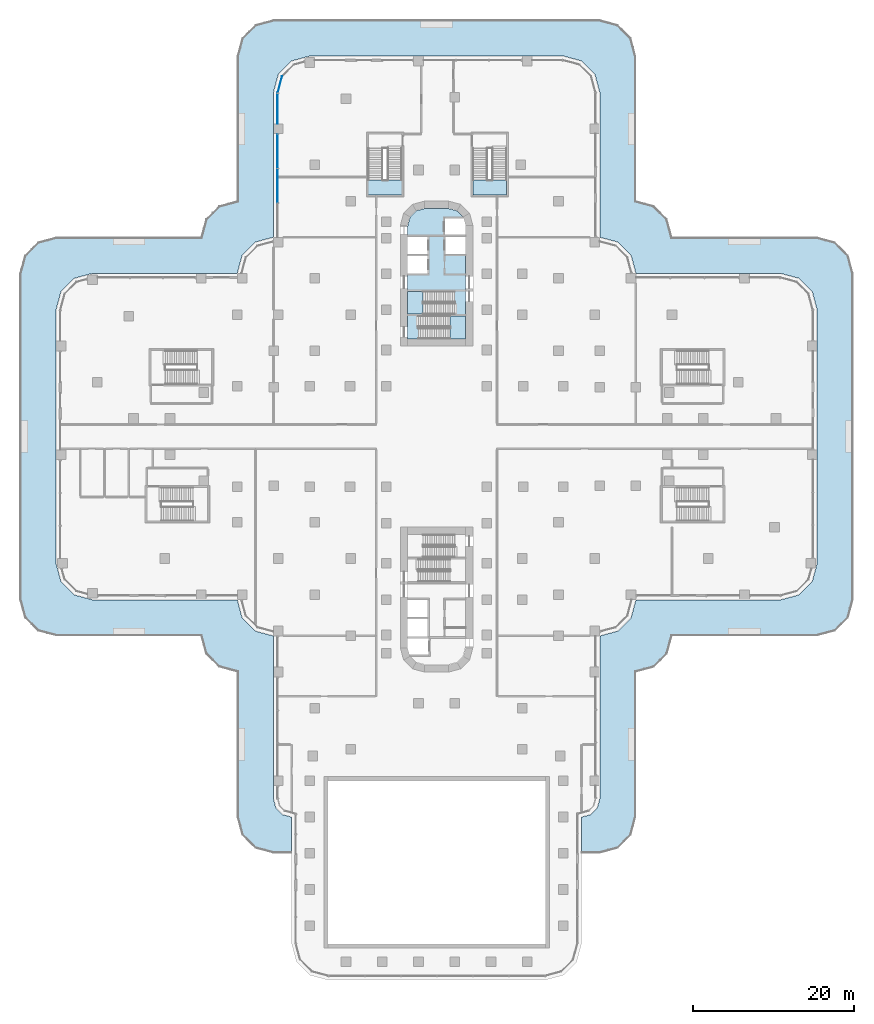
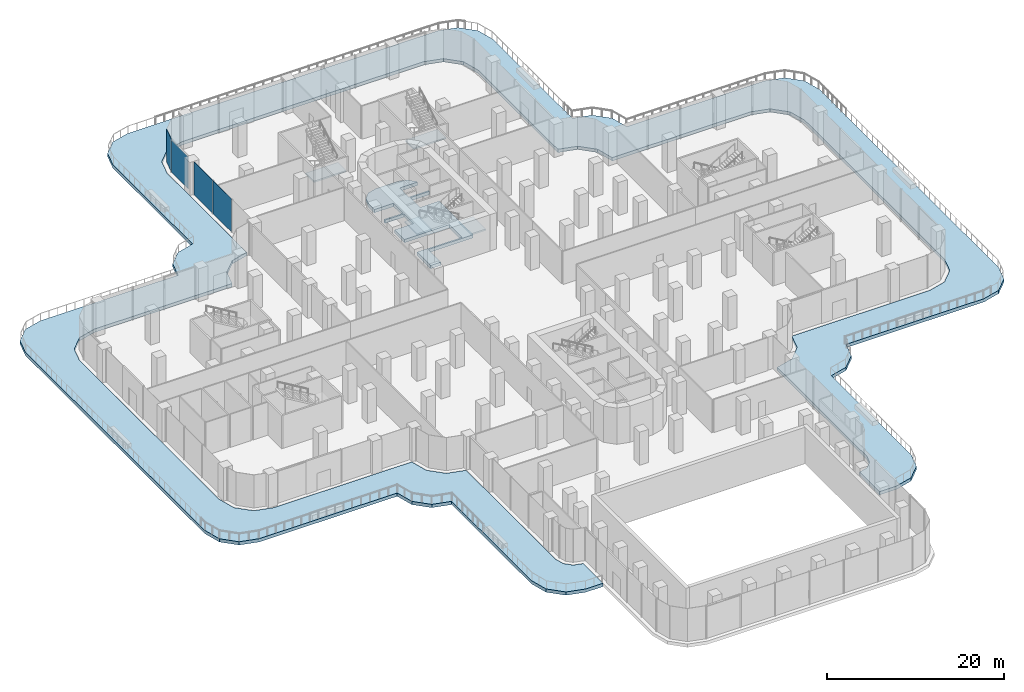
# One storey, part 15 of 29: 6 slabs, 4 plates, 6 elements without a shape of their own.
"""IFC4 building model written with IfcOpenShell, lengths in metres."""

from ifc_helpers import new_model, si_unit, direction, frame, origin, place, context, subcontext, project, spatial, polyline, outline, extrude, source, transform, mapped, material, layer, layer_set, type_object, element, aggregate, save


model = new_model("IFC4")

# Units and contexts
model_context = context("Model", 3, precision=1e-05, world=origin(), true_north=direction((0.0, 1.0)))
body_context = subcontext(model_context, "Body", "Model", "MODEL_VIEW")
ifc_project = project(units=[si_unit("LENGTHUNIT", "METRE"), si_unit("AREAUNIT", "SQUARE_METRE"), si_unit("VOLUMEUNIT", "CUBIC_METRE"), si_unit("PLANEANGLEUNIT", "RADIAN"), si_unit("MASSUNIT", "GRAM", prefix="KILO")], contexts=[model_context])

# Site, building, storey
site_placement = place(None, origin())
site = spatial("IfcSite", under=ifc_project, at=site_placement, CompositionType="ELEMENT")
building_placement = place(site_placement, origin())
building = spatial("IfcBuilding", under=site, at=building_placement, Name="Zarbagh Exchange Tower", CompositionType="ELEMENT")
storey_placement = place(building_placement, frame((0.0, 0.0, 12.0)))
storey = spatial("IfcBuildingStorey", under=building, at=storey_placement, Name="L02", CompositionType="ELEMENT", Elevation=12.0)

# Slabs
ifc_material_1 = material(Name="Concrete C50/60", Category="concrete")
ifc_layer_1 = layer(ifc_material_1, 0.449951171875)
ifc_layer_set_1 = layer_set([ifc_layer_1], Name="Core floor slab 450 C50/60")
slab_type_1 = type_object("IfcSlabType", Name="Core floor slab 450 C50/60", PredefinedType="FLOOR", material=ifc_layer_set_1)
slab_1_placement = place(storey_placement, frame((0.0, 0.0, -0.449951171875)))
element("IfcSlab", 1, at=slab_1_placement, inside=storey, type_object=slab_type_1, Name="S16 core N", PredefinedType="FLOOR", context=body_context, shape_type="SweptSolid", body=[
    extrude(outline(polyline([(-3.60009765625, 12.14990234375), (-3.60009765625, 15.199951171875), (2.25, 15.199951171875), (2.25, 18.050048828125), (-3.60009765625, 18.050048828125), (-3.60009765625, 20.25), (-1.10009765625, 20.25), (-1.10009765625, 22.449951171875), (-3.60009765625, 22.449951171875), (-3.60009765625, 22.64990234375), (-1.10009765625, 22.64990234375), (-1.10009765625, 24.85009765625), (-3.60009765625, 24.85009765625), (-3.60009765625, 26.131591796875), (-3.291259765625, 27.2841796875), (-2.5341796875, 28.041259765625), (-1.381591796875, 28.35009765625), (1.381591796875, 28.35009765625), (2.5341796875, 28.041259765625), (3.291259765625, 27.2841796875), (3.340576171875, 27.10009765625), (1.0, 27.10009765625), (1.0, 25.050048828125), (3.60009765625, 25.050048828125), (3.60009765625, 24.85009765625), (1.10009765625, 24.85009765625), (1.10009765625, 22.64990234375), (3.60009765625, 22.64990234375), (3.60009765625, 15.0), (-2.25, 15.0), (-2.25, 12.14990234375), (-3.60009765625, 12.14990234375)])), origin(), (0.0, 0.0, 1.0), 0.449951171875),
])
ifc_layer_2 = layer(ifc_material_1, 0.449951171875)
ifc_layer_set_2 = layer_set([ifc_layer_2], Name="Podium terrace roof slab 450 C50/60")
slab_type_2 = type_object("IfcSlabType", Name="Podium terrace roof slab 450 C50/60", PredefinedType="ROOF", material=ifc_layer_set_2)
slab_2_placement = place(storey_placement, frame((0.0, 0.0, -0.449951171875)))
element("IfcSlab", 2, at=slab_2_placement, inside=storey, type_object=slab_type_2, Name="S8 podium terrace roof slab", PredefinedType="ROOF", context=body_context, shape_type="SweptSolid", body=[
    extrude(outline(polyline([(-24.147216796875, -49.5), (-24.75, -47.25), (-24.75, -29.25), (-27.0, -28.647216796875), (-28.647216796875, -27.0), (-29.25, -24.75), (-47.25, -24.75), (-49.5, -24.147216796875), (-51.147216796875, -22.5), (-51.75, -20.25), (-51.75, 20.25), (-51.147216796875, 22.5), (-49.5, 24.147216796875), (-47.25, 24.75), (-29.25, 24.75), (-28.647216796875, 27.0), (-27.0, 28.647216796875), (-24.75, 29.25), (-24.75, 47.25), (-24.147216796875, 49.5), (-22.5, 51.147216796875), (-20.25, 51.75), (20.25, 51.75), (22.5, 51.147216796875), (24.147216796875, 49.5), (24.75, 47.25), (24.75, 29.25), (27.0, 28.647216796875), (28.647216796875, 27.0), (29.25, 24.75), (47.25, 24.75), (49.5, 24.147216796875), (51.147216796875, 22.5), (51.75, 20.25), (51.75, -20.25), (51.147216796875, -22.5), (49.5, -24.147216796875), (47.25, -24.75), (29.25, -24.75), (28.647216796875, -27.0), (27.0, -28.647216796875), (24.75, -29.25), (24.75, -47.25), (24.147216796875, -49.5), (22.5, -51.147216796875), (20.25, -51.75), (18.02490234375, -51.75), (18.02490234375, -47.269287109375), (19.137939453125, -46.970947265625), (19.970947265625, -46.137939453125), (20.27490234375, -45.00341796875), (20.27490234375, -24.769287109375), (22.512939453125, -24.16943359375), (24.16943359375, -22.512939453125), (24.769287109375, -20.27490234375), (42.75341796875, -20.27490234375), (45.012939453125, -19.66943359375), (46.66943359375, -18.012939453125), (47.27490234375, -15.75341796875), (47.27490234375, 15.75341796875), (46.66943359375, 18.012939453125), (45.012939453125, 19.66943359375), (42.75341796875, 20.27490234375), (24.769287109375, 20.27490234375), (24.16943359375, 22.512939453125), (22.512939453125, 24.16943359375), (20.27490234375, 24.769287109375), (20.27490234375, 42.75341796875), (19.66943359375, 45.012939453125), (18.012939453125, 46.66943359375), (15.75341796875, 47.27490234375), (-15.75341796875, 47.27490234375), (-18.012939453125, 46.66943359375), (-19.66943359375, 45.012939453125), (-20.27490234375, 42.75341796875), (-20.27490234375, 24.769287109375), (-22.512939453125, 24.16943359375), (-24.16943359375, 22.512939453125), (-24.769287109375, 20.27490234375), (-42.75341796875, 20.27490234375), (-45.012939453125, 19.66943359375), (-46.66943359375, 18.012939453125), (-47.27490234375, 15.75341796875), (-47.27490234375, -15.75341796875), (-46.66943359375, -18.012939453125), (-45.012939453125, -19.66943359375), (-42.75341796875, -20.27490234375), (-24.769287109375, -20.27490234375), (-24.16943359375, -22.512939453125), (-22.512939453125, -24.16943359375), (-20.27490234375, -24.769287109375), (-20.27490234375, -45.00341796875), (-19.970947265625, -46.137939453125), (-19.137939453125, -46.970947265625), (-18.02490234375, -47.269287109375), (-18.02490234375, -51.75), (-20.25, -51.75), (-22.5, -51.147216796875), (-24.147216796875, -49.5)])), origin(), (0.0, 0.0, 1.0), 0.449951171875),
])

# Stair, slab
ifc_material_2 = material(Name="Concrete C40/50", Category="concrete")
stair_type = type_object("IfcStairType", Name="Exit stair two-flight half-turn", PredefinedType="HALF_TURN_STAIR", material=ifc_material_2)
stair_1_placement = place(storey_placement, origin())
stair_1 = element("IfcStair", 3, at=stair_1_placement, inside=storey, type_object=stair_type, Name="exit stair ST1", PredefinedType="HALF_TURN_STAIR")
ifc_layer_3 = layer(ifc_material_2, 0.199951171875)
ifc_layer_set_3 = layer_set([ifc_layer_3], Name="Stair landing 200 mm")
slab_type_3 = type_object("IfcSlabType", Name="Stair landing 200 mm", PredefinedType="LANDING", material=ifc_layer_set_3)
slab_3_placement = place(storey_placement, frame((0.0, 0.0, 2.300048828125)))
slab_3 = element("IfcSlab", 4, at=slab_3_placement, type_object=slab_type_3, Name="ST1 landing 1", PredefinedType="LANDING", context=body_context, shape_type="SweptSolid", body=[
    extrude(outline(polyline([(-1.669921875, 18.050048828125), (-3.60009765625, 18.050048828125), (-3.60009765625, 15.199951171875), (-1.669921875, 15.199951171875), (-1.669921875, 18.050048828125)])), origin(), (0.0, 0.0, 1.0), 0.199951171875),
])
aggregate(stair_1, [slab_3])

stair_2_placement = place(storey_placement, origin())
stair_2 = element("IfcStair", 5, at=stair_2_placement, inside=storey, type_object=stair_type, Name="exit stair ST2", PredefinedType="HALF_TURN_STAIR")
slab_4_placement = place(storey_placement, frame((0.0, 0.0, 2.300048828125)))
slab_4 = element("IfcSlab", 6, at=slab_4_placement, type_object=slab_type_3, Name="ST2 landing 1", PredefinedType="LANDING", context=body_context, shape_type="SweptSolid", body=[
    extrude(outline(polyline([(1.669921875, 12.14990234375), (3.60009765625, 12.14990234375), (3.60009765625, 15.0), (1.669921875, 15.0), (1.669921875, 12.14990234375)])), origin(), (0.0, 0.0, 1.0), 0.199951171875),
])
aggregate(stair_2, [slab_4])

stair_3_placement = place(storey_placement, origin())
stair_3 = element("IfcStair", 7, at=stair_3_placement, inside=storey, type_object=stair_type, Name="exit stair PS1", PredefinedType="HALF_TURN_STAIR")
slab_5_placement = place(storey_placement, frame((0.0, 0.0, 2.300048828125)))
slab_5 = element("IfcSlab", 8, at=slab_5_placement, type_object=slab_type_3, Name="PS1 landing 1", PredefinedType="LANDING", context=body_context, shape_type="SweptSolid", body=[
    extrude(outline(polyline([(-8.5, 31.8798828125), (-8.5, 30.0), (-4.300048828125, 30.0), (-4.300048828125, 31.8798828125), (-8.5, 31.8798828125)])), origin(), (0.0, 0.0, 1.0), 0.199951171875),
])
aggregate(stair_3, [slab_5])

stair_4_placement = place(storey_placement, origin())
stair_4 = element("IfcStair", 9, at=stair_4_placement, inside=storey, type_object=stair_type, Name="exit stair PS2", PredefinedType="HALF_TURN_STAIR")
slab_6_placement = place(storey_placement, frame((0.0, 0.0, 2.300048828125)))
slab_6 = element("IfcSlab", 10, at=slab_6_placement, type_object=slab_type_3, Name="PS2 landing 1", PredefinedType="LANDING", context=body_context, shape_type="SweptSolid", body=[
    extrude(outline(polyline([(4.5, 31.8798828125), (4.5, 30.0), (8.699951171875, 30.0), (8.699951171875, 31.8798828125), (4.5, 31.8798828125)])), origin(), (0.0, 0.0, 1.0), 0.199951171875),
])
aggregate(stair_4, [slab_6])

# Curtain wall, plates
ifc_material_3 = material(Name="Anodised aluminium frame and glazing", Category="aluminium")
curtain_wall_type = type_object("IfcCurtainWallType", Name="CWC Podium garden-wall glazing", PredefinedType="NOTDEFINED", material=ifc_material_3)
curtain_wall_1_placement = place(storey_placement, origin())
curtain_wall_1 = element("IfcCurtainWall", 11, at=curtain_wall_1_placement, inside=storey, type_object=curtain_wall_type, Name="CWC126 curtain wall", PredefinedType="NOTDEFINED")
ifc_material_4 = material(Name="Low-e double glazed unit, 6+12+6 mm")
ifc_layer_4 = layer(ifc_material_4, 0.031982421875)
ifc_layer_set_4 = layer_set([ifc_layer_4], Name="PAC Glazing panel, Low-e double glazed unit, 6+12+6 mm")
plate_type = type_object("IfcPlateType", Name="PAC Glazing panel, Low-e double glazed unit, 6+12+6 mm", PredefinedType="CURTAIN_PANEL", material=ifc_layer_set_4)
shared_shape_1 = source(origin(), body_context, "Body", "SweptSolid", [
    extrude(outline(polyline([(0.0, -0.01611328125), (4.193359375, -0.01611328125), (4.193359375, 0.01611328125), (0.0, 0.01611328125), (0.0, -0.01611328125)])), origin(), (0.0, 0.0, 1.0), 4.550048828125),
])
placement = place(storey_placement, origin())
plate_1 = element("IfcPlate", 12, at=placement, type_object=plate_type, Name="CWC126 glazing panel 2.1", PredefinedType="CURTAIN_PANEL", context=body_context, shape_type="MappedRepresentation", body=[
    mapped(shared_shape_1, transform((-19.75, 37.530029296875, 0.0), x_axis=(0.0, -1.0, 0.0), y_axis=(1.0, 0.0, 0.0), z_axis=(0.0, 0.0, 1.0))),
])
plate_2 = element("IfcPlate", 13, at=placement, type_object=plate_type, Name="CWC126 glazing panel 2.2", PredefinedType="CURTAIN_PANEL", context=body_context, shape_type="MappedRepresentation", body=[
    mapped(shared_shape_1, transform((-19.75, 33.256591796875, 0.0), x_axis=(0.0, -1.0, 0.0), y_axis=(1.0, 0.0, 0.0), z_axis=(0.0, 0.0, 1.0))),
])

# Curtain wall, plate
curtain_wall_2_placement = place(storey_placement, origin())
curtain_wall_2 = element("IfcCurtainWall", 14, at=curtain_wall_2_placement, inside=storey, type_object=curtain_wall_type, Name="CWC125 curtain wall", PredefinedType="NOTDEFINED")
shared_shape_2 = source(origin(), body_context, "Body", "SweptSolid", [
    extrude(outline(polyline([(0.0, -0.01611328125), (2.129638671875, -0.01611328125), (2.129638671875, 0.01611328125), (0.0, 0.01611328125), (0.0, -0.01611328125)])), origin(), (0.0, 0.0, 1.0), 4.550048828125),
])
plate_3 = element("IfcPlate", 15, at=placement, type_object=plate_type, Name="CWC125 glazing panel 1.1", PredefinedType="CURTAIN_PANEL", context=body_context, shape_type="MappedRepresentation", body=[
    mapped(shared_shape_2, transform((-19.19873046875, 44.7412109375, 0.0), x_axis=(-0.258824779902, -0.965924289636, 0.0), y_axis=(0.965924289636, -0.258824779902, 0.0), z_axis=(0.0, 0.0, 1.0))),
])
aggregate(curtain_wall_2, [plate_3])

# Plate
shared_shape_3 = source(origin(), body_context, "Body", "SweptSolid", [
    extrude(outline(polyline([(0.0, -0.01611328125), (3.714111328125, -0.01611328125), (3.714111328125, 0.01611328125), (0.0, 0.01611328125), (0.0, -0.01611328125)])), origin(), (0.0, 0.0, 1.0), 4.469970703125),
])
plate_4 = element("IfcPlate", 16, at=placement, type_object=plate_type, Name="CWC126 glazing panel 1.1", PredefinedType="CURTAIN_PANEL", context=body_context, shape_type="MappedRepresentation", body=[
    mapped(shared_shape_3, transform((-19.75, 42.604248046875, 0.0), x_axis=(0.0, -1.0, 0.0), y_axis=(1.0, 0.0, 0.0), z_axis=(0.0, 0.0, 1.0))),
])

aggregate(curtain_wall_1, [plate_4, plate_1, plate_2])

save(model, "model.ifc")
